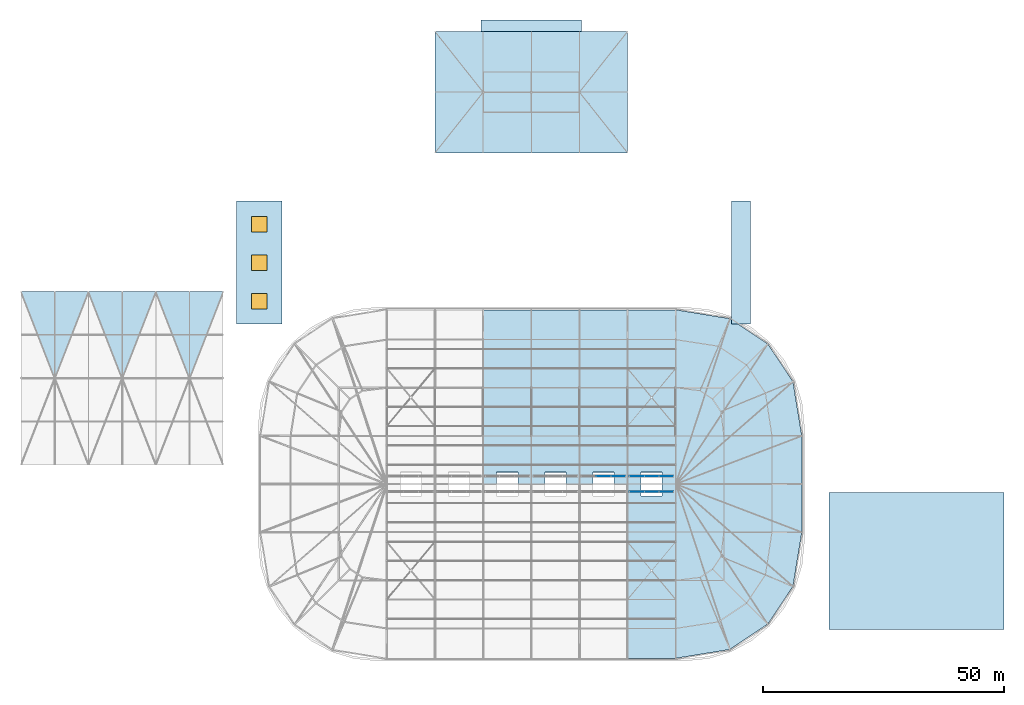
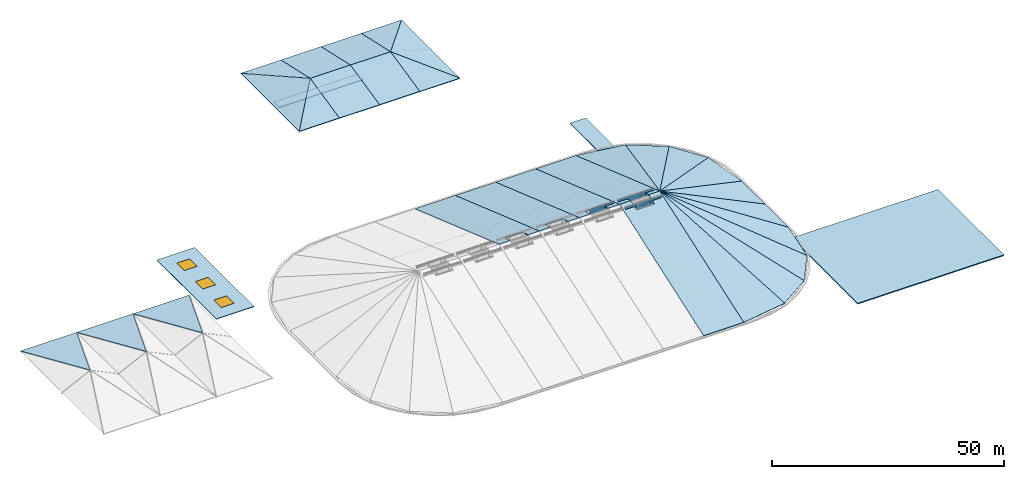
# One storey, part 82 of 93: 32 slabs, 8 plates, 3 windows, 3 openings, 3 elements without a shape of their own.
"""IFC4 building model written with IfcOpenShell, lengths in metres."""

from ifc_helpers import new_model, si_unit, derived_unit, direction, frame, origin, origin_2d_with_axis, place, context, subcontext, project, spatial, polyline, rectangle, outline, extrude, material, layer, layer_set, type_object, element, fill, aggregate, save


model = new_model("IFC4")

# Units and contexts
model_context = context("Model", 3, precision=1e-05, world=origin(), true_north=direction((0.0, 1.0)))
body_context = subcontext(model_context, "Body", "Model", "MODEL_VIEW")
ifc_project = project(units=[si_unit("LENGTHUNIT", "METRE"), si_unit("AREAUNIT", "SQUARE_METRE"), si_unit("VOLUMEUNIT", "CUBIC_METRE"), si_unit("PLANEANGLEUNIT", "RADIAN"), si_unit("MASSUNIT", "GRAM", prefix="KILO"), derived_unit("THERMALTRANSMITTANCEUNIT", [(si_unit("POWERUNIT", "WATT"), 1), (si_unit("LENGTHUNIT", "METRE"), -2), (si_unit("THERMODYNAMICTEMPERATUREUNIT", "KELVIN"), -1)])], contexts=[model_context])

# Site, building, storey
site_placement = place(None, origin())
site = spatial("IfcSite", under=ifc_project, at=site_placement, CompositionType="ELEMENT")
building_placement = place(site_placement, origin())
building = spatial("IfcBuilding", under=site, at=building_placement, Name="Cinnabar Yard Market Hall", CompositionType="ELEMENT")
storey_placement = place(building_placement, frame((0.0, 0.0, 23.800048828125)))
storey = spatial("IfcBuildingStorey", under=building, at=storey_placement, Name="ROOF", CompositionType="ELEMENT", Elevation=23.800048828125)

# Curtain wall, plate
ifc_material_1 = material(Name="Anodised aluminium ridge clerestory", Category="aluminium")
curtain_wall_type = type_object("IfcCurtainWallType", Name="CW-CWR092x13", PredefinedType="NOTDEFINED", material=ifc_material_1)
curtain_wall_1_placement = place(storey_placement, origin())
curtain_wall_1 = element("IfcCurtainWall", 1, at=curtain_wall_1_placement, inside=storey, type_object=curtain_wall_type, Name="North Ridge Clerestory 5", PredefinedType="NOTDEFINED")
ifc_material_2 = material(Name="Low-E laminated glass", Category="glass")
ifc_layer_1 = layer(ifc_material_2, 0.028076171875)
ifc_layer_set_1 = layer_set([ifc_layer_1], Name="Low-E laminated glass")
plate_type_1 = type_object("IfcPlateType", Name="CWP-GP296x115", PredefinedType="CURTAIN_PANEL", material=ifc_layer_set_1)
plate_1_placement = place(storey_placement, frame((134.049072265625, 45.60009765625, 2.22021484375), z_axis=(0.0, 0.0, 1.0), x_axis=(-1.0, 0.0, 0.0)))
plate_1 = element("IfcPlate", 2, at=plate_1_placement, type_object=plate_type_1, Name="CWR092x13 panel 1.1", PredefinedType="CURTAIN_PANEL", context=body_context, shape_type="SweptSolid", body=[
    extrude(rectangle(XDim=2.961669921875, YDim=0.028076171875, at=origin_2d_with_axis()), origin(), (0.0, 0.0, 1.0), 1.159912109375),
])

# Curtain wall, plates
curtain_wall_2_placement = place(storey_placement, origin())
curtain_wall_2 = element("IfcCurtainWall", 3, at=curtain_wall_2_placement, inside=storey, type_object=curtain_wall_type, Name="South Ridge Clerestory 6", PredefinedType="NOTDEFINED")
plate_2_placement = place(storey_placement, frame((137.950927734375, 42.39990234375, 2.22021484375), z_axis=(0.0, 0.0, 1.0), x_axis=(1.0, 0.0, 0.0)))
plate_2 = element("IfcPlate", 4, at=plate_2_placement, type_object=plate_type_1, Name="CWR092x13 panel 1.1", PredefinedType="CURTAIN_PANEL", context=body_context, shape_type="SweptSolid", body=[
    extrude(rectangle(XDim=2.961669921875, YDim=0.028076171875, at=origin_2d_with_axis()), origin(), (0.0, 0.0, 1.0), 1.159912109375),
])
plate_3_placement = place(storey_placement, frame((144.049072265625, 42.39990234375, 2.22021484375), z_axis=(0.0, 0.0, 1.0), x_axis=(1.0, 0.0, 0.0)))
plate_3 = element("IfcPlate", 5, at=plate_3_placement, type_object=plate_type_1, Name="CWR092x13 panel 3.1", PredefinedType="CURTAIN_PANEL", context=body_context, shape_type="SweptSolid", body=[
    extrude(rectangle(XDim=2.961669921875, YDim=0.028076171875, at=origin_2d_with_axis()), origin(), (0.0, 0.0, 1.0), 1.159912109375),
])

curtain_wall_3_placement = place(storey_placement, origin())
curtain_wall_3 = element("IfcCurtainWall", 6, at=curtain_wall_3_placement, inside=storey, type_object=curtain_wall_type, Name="North Ridge Clerestory 6", PredefinedType="NOTDEFINED")
plate_4_placement = place(storey_placement, frame((144.049072265625, 45.60009765625, 2.22021484375), z_axis=(0.0, 0.0, 1.0), x_axis=(-1.0, 0.0, 0.0)))
plate_4 = element("IfcPlate", 7, at=plate_4_placement, type_object=plate_type_1, Name="CWR092x13 panel 1.1", PredefinedType="CURTAIN_PANEL", context=body_context, shape_type="SweptSolid", body=[
    extrude(rectangle(XDim=2.961669921875, YDim=0.028076171875, at=origin_2d_with_axis()), origin(), (0.0, 0.0, 1.0), 1.159912109375),
])
plate_5_placement = place(storey_placement, frame((137.950927734375, 45.60009765625, 2.22021484375), z_axis=(0.0, 0.0, 1.0), x_axis=(-1.0, 0.0, 0.0)))
plate_5 = element("IfcPlate", 8, at=plate_5_placement, type_object=plate_type_1, Name="CWR092x13 panel 3.1", PredefinedType="CURTAIN_PANEL", context=body_context, shape_type="SweptSolid", body=[
    extrude(rectangle(XDim=2.961669921875, YDim=0.028076171875, at=origin_2d_with_axis()), origin(), (0.0, 0.0, 1.0), 1.159912109375),
])

# Plate
ifc_layer_2 = layer(ifc_material_2, 0.028076171875)
ifc_layer_set_2 = layer_set([ifc_layer_2], Name="Low-E laminated glass")
plate_type_2 = type_object("IfcPlateType", Name="CWP-GP300x115", PredefinedType="CURTAIN_PANEL", material=ifc_layer_set_2)
plate_6_placement = place(storey_placement, frame((131.0, 45.60009765625, 2.22021484375), z_axis=(0.0, 0.0, 1.0), x_axis=(-1.0, 0.0, 0.0)))
plate_6 = element("IfcPlate", 9, at=plate_6_placement, type_object=plate_type_2, Name="CWR092x13 panel 2.1", PredefinedType="CURTAIN_PANEL", context=body_context, shape_type="SweptSolid", body=[
    extrude(rectangle(XDim=2.99658203125, YDim=0.028076171875, at=origin_2d_with_axis()), origin(), (0.0, 0.0, 1.0), 1.159912109375),
])

aggregate(curtain_wall_1, [plate_1, plate_6])

plate_7_placement = place(storey_placement, frame((141.0, 42.39990234375, 2.22021484375), z_axis=(0.0, 0.0, 1.0), x_axis=(1.0, 0.0, 0.0)))
plate_7 = element("IfcPlate", 10, at=plate_7_placement, type_object=plate_type_2, Name="CWR092x13 panel 2.1", PredefinedType="CURTAIN_PANEL", context=body_context, shape_type="SweptSolid", body=[
    extrude(rectangle(XDim=2.99658203125, YDim=0.028076171875, at=origin_2d_with_axis()), origin(), (0.0, 0.0, 1.0), 1.159912109375),
])

aggregate(curtain_wall_2, [plate_2, plate_7, plate_3])

plate_8_placement = place(storey_placement, frame((141.0, 45.60009765625, 2.22021484375), z_axis=(0.0, 0.0, 1.0), x_axis=(-1.0, 0.0, 0.0)))
plate_8 = element("IfcPlate", 11, at=plate_8_placement, type_object=plate_type_2, Name="CWR092x13 panel 2.1", PredefinedType="CURTAIN_PANEL", context=body_context, shape_type="SweptSolid", body=[
    extrude(rectangle(XDim=2.99658203125, YDim=0.028076171875, at=origin_2d_with_axis()), origin(), (0.0, 0.0, 1.0), 1.159912109375),
])

aggregate(curtain_wall_3, [plate_4, plate_8, plate_5])

# Slab, openings, windows
ifc_material_3 = material(Name="Concrete 40 MPa", Category="concrete")
ifc_layer_3 = layer(ifc_material_3, 0.14990234375)
ifc_layer_set_3 = layer_set([ifc_layer_3], Name="Concrete 40 MPa")
slab_type_1 = type_object("IfcSlabType", Name="RF-CAN", PredefinedType="ROOF", material=ifc_layer_set_3)
slab_1_placement = place(storey_placement, frame((0.0, 0.0, -18.550048828125)))
slab_1 = element("IfcSlab", 12, at=slab_1_placement, inside=storey, type_object=slab_type_1, Name="West Riwaq Passage Canopy Roof", PredefinedType="ROOF", context=body_context, shape_type="SweptSolid", body=[
    extrude(outline(polyline([(54.800048828125, 77.199951171875), (64.199951171875, 77.199951171875), (64.199951171875, 102.800048828125), (54.800048828125, 102.800048828125), (54.800048828125, 77.199951171875)]), holes=[polyline([(57.89990234375, 80.39990234375), (61.10009765625, 80.39990234375), (61.10009765625, 83.60009765625), (57.89990234375, 83.60009765625), (57.89990234375, 80.39990234375)]), polyline([(57.89990234375, 88.39990234375), (61.10009765625, 88.39990234375), (61.10009765625, 91.60009765625), (57.89990234375, 91.60009765625), (57.89990234375, 88.39990234375)]), polyline([(57.89990234375, 96.39990234375), (61.10009765625, 96.39990234375), (61.10009765625, 99.60009765625), (57.89990234375, 99.60009765625), (57.89990234375, 96.39990234375)])]), origin(), (0.0, 0.0, 1.0), 0.14990234375),
])
opening_1_placement = place(slab_1_placement, frame((59.5, 82.0, 0.0)))
opening_1 = element("IfcOpeningElement", 13, at=opening_1_placement, cuts=slab_1, Name="Opening SKY2", PredefinedType="OPENING", context=body_context, shape_type="SweptSolid", body=[
    extrude(rectangle(XDim=3.199951171875, YDim=3.199951171875, at=origin_2d_with_axis()), frame((0.0, 0.0, -0.010009765625)), (0.0, 0.0, 1.0), 0.169921875),
])
opening_2_placement = place(slab_1_placement, frame((59.5, 90.0, 0.0)))
opening_2 = element("IfcOpeningElement", 14, at=opening_2_placement, cuts=slab_1, Name="Opening SKY2", PredefinedType="OPENING", context=body_context, shape_type="SweptSolid", body=[
    extrude(rectangle(XDim=3.199951171875, YDim=3.199951171875, at=origin_2d_with_axis()), frame((0.0, 0.0, -0.010009765625)), (0.0, 0.0, 1.0), 0.169921875),
])
opening_3_placement = place(slab_1_placement, frame((59.5, 98.0, 0.0)))
opening_3 = element("IfcOpeningElement", 15, at=opening_3_placement, cuts=slab_1, Name="Opening SKY2", PredefinedType="OPENING", context=body_context, shape_type="SweptSolid", body=[
    extrude(rectangle(XDim=3.199951171875, YDim=3.199951171875, at=origin_2d_with_axis()), frame((0.0, 0.0, -0.010009765625)), (0.0, 0.0, 1.0), 0.169921875),
])
ifc_material_4 = material(Name="Laminated solar-control cupola skylight")
window_type = type_object("IfcWindowType", Name="WN-SKY2", PartitioningType="SINGLE_PANEL", PredefinedType="SKYLIGHT", material=ifc_material_4)
window_1_placement = place(opening_1_placement, frame((0.0, 0.0, 0.099853515625)))
window_1 = element("IfcWindow", 16, at=window_1_placement, inside=storey, type_object=window_type, Name="West Riwaq Skylight 1", OverallHeight=3.199951171875, OverallWidth=3.199951171875, PartitioningType="SINGLE_PANEL", PredefinedType="SKYLIGHT", context=body_context, shape_type="SweptSolid", body=[
    extrude(rectangle(XDim=3.199951171875, YDim=3.199951171875, at=origin_2d_with_axis()), origin(), (0.0, 0.0, 1.0), 0.050048828125),
])
fill(opening_1, window_1)
window_2_placement = place(opening_2_placement, frame((0.0, 0.0, 0.099853515625)))
window_2 = element("IfcWindow", 17, at=window_2_placement, inside=storey, type_object=window_type, Name="West Riwaq Skylight 2", OverallHeight=3.199951171875, OverallWidth=3.199951171875, PartitioningType="SINGLE_PANEL", PredefinedType="SKYLIGHT", context=body_context, shape_type="SweptSolid", body=[
    extrude(rectangle(XDim=3.199951171875, YDim=3.199951171875, at=origin_2d_with_axis()), origin(), (0.0, 0.0, 1.0), 0.050048828125),
])
fill(opening_2, window_2)
window_3_placement = place(opening_3_placement, frame((0.0, 0.0, 0.099853515625)))
window_3 = element("IfcWindow", 18, at=window_3_placement, inside=storey, type_object=window_type, Name="West Riwaq Skylight 3", OverallHeight=3.199951171875, OverallWidth=3.199951171875, PartitioningType="SINGLE_PANEL", PredefinedType="SKYLIGHT", context=body_context, shape_type="SweptSolid", body=[
    extrude(rectangle(XDim=3.199951171875, YDim=3.199951171875, at=origin_2d_with_axis()), origin(), (0.0, 0.0, 1.0), 0.050048828125),
])
fill(opening_3, window_3)

# Slabs
slab_2_placement = place(storey_placement, frame((0.0, 0.0, -18.550048828125)))
element("IfcSlab", 19, at=slab_2_placement, inside=storey, type_object=slab_type_1, Name="East Riwaq Passage Canopy Roof", PredefinedType="ROOF", context=body_context, shape_type="SweptSolid", body=[
    extrude(outline(polyline([(157.60009765625, 77.199951171875), (161.5, 77.199951171875), (161.5, 102.800048828125), (157.60009765625, 102.800048828125), (157.60009765625, 77.199951171875)])), origin(), (0.0, 0.0, 1.0), 0.14990234375),
])
slab_3_placement = place(storey_placement, frame((0.0, 0.0, -17.550048828125)))
element("IfcSlab", 20, at=slab_3_placement, inside=storey, type_object=slab_type_1, Name="North Pishtaq Canopy Roof", PredefinedType="ROOF", context=body_context, shape_type="SweptSolid", body=[
    extrude(outline(polyline([(105.60009765625, 138.0), (126.39990234375, 138.0), (126.39990234375, 140.39990234375), (105.60009765625, 140.39990234375), (105.60009765625, 138.0)])), origin(), (0.0, 0.0, 1.0), 0.14990234375),
])
ifc_layer_4 = layer(ifc_material_3, 0.27001953125)
ifc_layer_set_4 = layer_set([ifc_layer_4], Name="Concrete 40 MPa")
slab_type_2 = type_object("IfcSlabType", Name="RF-DOCK", PredefinedType="ROOF", material=ifc_layer_set_4)
slab_4_placement = place(storey_placement, frame((0.0, 0.0, -19.170166015625)))
element("IfcSlab", 21, at=slab_4_placement, inside=storey, type_object=slab_type_2, Name="Loading Dock Acoustic Buffer Roof Slab", PredefinedType="ROOF", context=body_context, shape_type="SweptSolid", body=[
    extrude(outline(polyline([(177.800048828125, 13.800048828125), (214.199951171875, 13.800048828125), (214.199951171875, 42.199951171875), (177.800048828125, 42.199951171875), (177.800048828125, 13.800048828125)])), origin(), (0.0, 0.0, 1.0), 0.27001953125),
])
ifc_layer_5 = layer(ifc_material_3, 0.179931640625)
ifc_layer_set_5 = layer_set([ifc_layer_5], Name="Concrete 40 MPa")
slab_type_3 = type_object("IfcSlabType", Name="RF-HALL", PredefinedType="ROOF", material=ifc_layer_set_5)
for number, where, z_axis, x_axis, name in (
    (22, (106.0, 44.0, 3.449951171875), (0.0, 0.328726259406, 0.944425246579), (1.0, 0.0, 0.0), "Market Hall North Pitched Roof Panel 03"),
    (23, (116.0, 44.0, 3.449951171875), (0.0, 0.328726259406, 0.944425246579), (1.0, 0.0, 0.0), "Market Hall North Pitched Roof Panel 04"),
    (24, (126.0, 44.0, 3.449951171875), (0.0, 0.328726259406, 0.944425246579), (1.0, 0.0, 0.0), "Market Hall North Pitched Roof Panel 05"),
):
    element("IfcSlab", number, at=place(storey_placement, frame(where, z_axis=z_axis, x_axis=x_axis)), inside=storey, type_object=slab_type_3, Name=name, PredefinedType="ROOF", context=body_context, shape_type="SweptSolid", body=[
        extrude(outline(polyline([(0.0, 0.0), (2.800048828125, 0.0), (2.800048828125, 2.6470934847407452), (7.199951171875, 2.6470934847407452), (7.199951171875, 0.0), (10.0, 0.0), (10.0, 38.33013078235692), (0.0, 38.33013078235692), (0.0, 0.0)])), origin(), (0.0, 0.0, -1.0), 0.179931640625),
    ])
slab_5_placement = place(storey_placement, frame((136.0, 7.800048828125, -9.150146484375), z_axis=(0.0, -0.328726259406, 0.944425246579), x_axis=(1.0, 0.0, 0.0)))
element("IfcSlab", 25, at=slab_5_placement, inside=storey, type_object=slab_type_3, Name="Market Hall South Pitched Roof Panel 06", PredefinedType="ROOF", context=body_context, shape_type="SweptSolid", body=[
    extrude(outline(polyline([(0.0, 0.0), (10.0, 0.0), (10.0, 38.33013078235692), (7.199951171875, 38.33013078235692), (7.199951171875, 35.68303729761617), (2.800048828125, 35.68303729761617), (2.800048828125, 38.33013078235692), (0.0, 38.33013078235692), (0.0, 0.0)])), origin(), (0.0, 0.0, -1.0), 0.179931640625),
])
slab_6_placement = place(storey_placement, frame((136.0, 44.0, 3.449951171875), z_axis=(0.0, 0.328726259406, 0.944425246579), x_axis=(1.0, 0.0, 0.0)))
element("IfcSlab", 26, at=slab_6_placement, inside=storey, type_object=slab_type_3, Name="Market Hall North Pitched Roof Panel 06", PredefinedType="ROOF", context=body_context, shape_type="SweptSolid", body=[
    extrude(outline(polyline([(0.0, 0.0), (2.800048828125, 0.0), (2.800048828125, 2.6470934847407452), (7.199951171875, 2.6470934847407452), (7.199951171875, 0.0), (10.0, 0.0), (10.0, 38.33013078235692), (0.0, 38.33013078235692), (0.0, 0.0)])), origin(), (0.0, 0.0, -1.0), 0.179931640625),
])
slab_7_placement = place(storey_placement, frame((146.0, 44.0, 3.449951171875), z_axis=(0.053694464381, -0.328251447261, 0.943063037059), x_axis=(0.0, -0.944425454153, -0.328725663051)))
element("IfcSlab", 27, at=slab_7_placement, inside=storey, type_object=slab_type_3, Name="Market Hall East Apsidal Hip Facet 01", PredefinedType="ROOF", context=body_context, shape_type="SweptSolid", body=[
    extrude(outline(polyline([(0.0, 0.0), (38.330130782364556, -1.1102230246251565e-16), (36.59046035961463, 11.277254763712312), (0.0, 0.0)])), origin(), (0.0, 0.0, -1.0), 0.179931640625),
])
slab_8_placement = place(storey_placement, frame((146.0, 44.0, 3.449951171875), z_axis=(0.189023755784, -0.282897842347, 0.940339742085), x_axis=(0.294105928057, -0.897333924239, -0.32907982541)))
element("IfcSlab", 28, at=slab_8_placement, inside=storey, type_object=slab_type_3, Name="Market Hall East Apsidal Hip Facet 02", PredefinedType="ROOF", context=body_context, shape_type="SweptSolid", body=[
    extrude(outline(polyline([(0.0, 0.0), (38.28887912089099, 8.881784197001252e-16), (35.89064777429705, 9.13273184325013), (0.0, 0.0)])), origin(), (0.0, 0.0, -1.0), 0.179931640625),
])
slab_9_placement = place(storey_placement, frame((146.0, 44.0, 3.449951171875), z_axis=(0.304097188271, -0.203188515591, 0.930719789849), x_axis=(0.516062640809, -0.786082003475, -0.340227033867)))
element("IfcSlab", 29, at=slab_9_placement, inside=storey, type_object=slab_type_3, Name="Market Hall East Apsidal Hip Facet 03", PredefinedType="ROOF", context=body_context, shape_type="SweptSolid", body=[
    extrude(outline(polyline([(0.0, 0.0), (37.03438116911593, 1.9984014443252818e-15), (33.56998002051301, 8.783861861052888), (0.0, 0.0)])), origin(), (0.0, 0.0, -1.0), 0.179931640625),
])
slab_10_placement = place(storey_placement, frame((146.0, 44.0, 3.449951171875), z_axis=(0.411443291591, -0.067302756316, 0.908947059403), x_axis=(0.701954212015, -0.612706049447, -0.363113730401)))
element("IfcSlab", 30, at=slab_10_placement, inside=storey, type_object=slab_type_3, Name="Market Hall East Apsidal Hip Facet 04", PredefinedType="ROOF", context=body_context, shape_type="SweptSolid", body=[
    extrude(outline(polyline([(0.0, 0.0), (34.700141033887775, -8.881784197001252e-16), (29.093495037528562, 9.938231676559575), (0.0, 0.0)])), origin(), (0.0, 0.0, -1.0), 0.179931640625),
])
slab_11_placement = place(storey_placement, frame((146.0, 44.0, 3.449951171875), z_axis=(0.433405274162, 0.0, 0.901199128012), x_axis=(0.852194344827, -0.325265623297, -0.409837861776)))
element("IfcSlab", 31, at=slab_11_placement, inside=storey, type_object=slab_type_3, Name="Market Hall East Apsidal Hip Facet 05", PredefinedType="ROOF", context=body_context, shape_type="SweptSolid", body=[
    extrude(outline(polyline([(0.0, 0.0), (30.744103538006616, -6.661338147750939e-16), (27.491447305035713, 9.456226912998416), (0.0, 0.0)])), origin(), (0.0, 0.0, -1.0), 0.179931640625),
])
slab_12_placement = place(storey_placement, frame((146.0, 44.0, 3.449951171875), z_axis=(0.433405274162, 0.0, 0.901199128012), x_axis=(0.901199128012, 0.0, -0.433405274162)))
element("IfcSlab", 32, at=slab_12_placement, inside=storey, type_object=slab_type_3, Name="Market Hall East Apsidal Hip Facet 06", PredefinedType="ROOF", context=body_context, shape_type="SweptSolid", body=[
    extrude(outline(polyline([(0.0, 0.0), (29.0723219292108, 0.0), (29.0723219292108, 10.0), (0.0, 0.0)])), origin(), (0.0, 0.0, -1.0), 0.179931640625),
])
slab_13_placement = place(storey_placement, frame((146.0, 44.0, 3.449951171875), z_axis=(0.411443291591, 0.067302756316, 0.908947059403), x_axis=(0.852194344827, 0.325265623297, -0.409837861776)))
element("IfcSlab", 33, at=slab_13_placement, inside=storey, type_object=slab_type_3, Name="Market Hall East Apsidal Hip Facet 07", PredefinedType="ROOF", context=body_context, shape_type="SweptSolid", body=[
    extrude(outline(polyline([(0.0, 0.0), (30.744103538006616, 1.887379141862766e-15), (32.8371383385086, 11.217046559114866), (0.0, 0.0)])), origin(), (0.0, 0.0, -1.0), 0.179931640625),
])
slab_14_placement = place(storey_placement, frame((146.0, 44.0, 3.449951171875), z_axis=(0.304097188271, 0.203188515591, 0.930719789849), x_axis=(0.701954212015, 0.612706049447, -0.363113730401)))
element("IfcSlab", 34, at=slab_14_placement, inside=storey, type_object=slab_type_3, Name="Market Hall East Apsidal Hip Facet 08", PredefinedType="ROOF", context=body_context, shape_type="SweptSolid", body=[
    extrude(outline(polyline([(0.0, 0.0), (34.700141033887775, -3.9968028886505635e-15), (35.82819547347509, 9.3747425401356), (0.0, 0.0)])), origin(), (0.0, 0.0, -1.0), 0.179931640625),
])
slab_15_placement = place(storey_placement, frame((146.0, 44.0, 3.449951171875), z_axis=(0.189023755784, 0.282897842347, 0.940339742085), x_axis=(0.516062640809, 0.786082003475, -0.340227033867)))
element("IfcSlab", 35, at=slab_15_placement, inside=storey, type_object=slab_type_3, Name="Market Hall East Apsidal Hip Facet 09", PredefinedType="ROOF", context=body_context, shape_type="SweptSolid", body=[
    extrude(outline(polyline([(0.0, 0.0), (37.03438116911593, -2.6575963651964685e-15), (37.10640304546338, 9.442092848612967), (0.0, 0.0)])), origin(), (0.0, 0.0, -1.0), 0.179931640625),
])
slab_16_placement = place(storey_placement, frame((146.0, 44.0, 3.449951171875), z_axis=(0.053694464381, 0.328251447261, 0.943063037059), x_axis=(0.294105928057, 0.897333924239, -0.32907982541)))
element("IfcSlab", 36, at=slab_16_placement, inside=storey, type_object=slab_type_3, Name="Market Hall East Apsidal Hip Facet 10", PredefinedType="ROOF", context=body_context, shape_type="SweptSolid", body=[
    extrude(outline(polyline([(0.0, 0.0), (38.28887912089098, -1.9984014443252818e-15), (36.62988217917615, 11.289404649176312), (0.0, 0.0)])), origin(), (0.0, 0.0, -1.0), 0.179931640625),
])
ifc_layer_6 = layer(ifc_material_3, 0.18994140625)
ifc_layer_set_6 = layer_set([ifc_layer_6], Name="Concrete 40 MPa")
slab_type_4 = type_object("IfcSlabType", Name="RF-PAV", PredefinedType="ROOF", material=ifc_layer_set_6)
for number, where, z_axis, x_axis, name in (
    (37, (24.0, 84.0, -15.260009765625), (0.0, 0.185607349892, 0.982623993024), (-1.0, 0.0, 0.0), "Food Court Chhatri Roof CH1 N"),
    (38, (38.0, 84.0, -15.260009765625), (0.0, 0.185607349892, 0.982623993024), (-1.0, 0.0, 0.0), "Food Court Chhatri Roof CH2 N"),
    (39, (52.0, 84.0, -15.260009765625), (0.0, 0.185607349892, 0.982623993024), (-1.0, 0.0, 0.0), "Food Court Chhatri Roof CH3 N"),
):
    element("IfcSlab", number, at=place(storey_placement, frame(where, z_axis=z_axis, x_axis=x_axis)), inside=storey, type_object=slab_type_4, Name=name, PredefinedType="ROOF", context=body_context, shape_type="SweptSolid", body=[
        extrude(outline(polyline([(0.0, 0.0), (14.0, 0.0), (7.0, 18.216431178997674), (0.0, 0.0)])), origin(), (0.0, 0.0, -1.0), 0.18994140625),
    ])
ifc_layer_7 = layer(ifc_material_3, 0.2099609375)
ifc_layer_set_7 = layer_set([ifc_layer_7], Name="Concrete 40 MPa")
slab_type_5 = type_object("IfcSlabType", Name="RF-WING", PredefinedType="ROOF", material=ifc_layer_set_7)
slab_17_placement = place(storey_placement, frame((106.0, 112.800048828125, -5.06005859375), z_axis=(0.0, -0.216936466118, 0.976185724987), x_axis=(1.0, 0.0, 0.0)))
element("IfcSlab", 40, at=slab_17_placement, inside=storey, type_object=slab_type_5, Name="Belvedere South Hipped Roof 1", PredefinedType="ROOF", context=body_context, shape_type="SweptSolid", body=[
    extrude(outline(polyline([(0.0, 0.0), (10.0, 0.0), (10.0, 12.907229836610636), (0.0, 12.907229836610636), (0.0, 0.0)])), origin(), (0.0, 0.0, -1.0), 0.2099609375),
])
slab_18_placement = place(storey_placement, frame((106.0, 125.39990234375, -2.260009765625), z_axis=(0.0, 0.216932460549, 0.976186615131), x_axis=(1.0, 0.0, 0.0)))
element("IfcSlab", 41, at=slab_18_placement, inside=storey, type_object=slab_type_5, Name="Belvedere North Hipped Roof 1", PredefinedType="ROOF", context=body_context, shape_type="SweptSolid", body=[
    extrude(outline(polyline([(0.0, 0.0), (10.0, 0.0), (10.0, 12.907468163312313), (0.0, 12.907468163312313), (0.0, 0.0)])), origin(), (0.0, 0.0, -1.0), 0.2099609375),
])
slab_19_placement = place(storey_placement, frame((116.0, 112.800048828125, -5.06005859375), z_axis=(0.0, -0.216936466118, 0.976185724987), x_axis=(1.0, 0.0, 0.0)))
element("IfcSlab", 42, at=slab_19_placement, inside=storey, type_object=slab_type_5, Name="Belvedere South Hipped Roof 2", PredefinedType="ROOF", context=body_context, shape_type="SweptSolid", body=[
    extrude(outline(polyline([(0.0, 0.0), (10.0, 0.0), (10.0, 12.907229836610636), (0.0, 12.907229836610636), (0.0, 0.0)])), origin(), (0.0, 0.0, -1.0), 0.2099609375),
])
slab_20_placement = place(storey_placement, frame((116.0, 125.39990234375, -2.260009765625), z_axis=(0.0, 0.216932460549, 0.976186615131), x_axis=(1.0, 0.0, 0.0)))
element("IfcSlab", 43, at=slab_20_placement, inside=storey, type_object=slab_type_5, Name="Belvedere North Hipped Roof 2", PredefinedType="ROOF", context=body_context, shape_type="SweptSolid", body=[
    extrude(outline(polyline([(0.0, 0.0), (10.0, 0.0), (10.0, 12.907468163312313), (0.0, 12.907468163312313), (0.0, 0.0)])), origin(), (0.0, 0.0, -1.0), 0.2099609375),
])
slab_21_placement = place(storey_placement, frame((96.0, 138.0, -5.06005859375), z_axis=(-0.26963428565, 0.0, 0.962962798867), x_axis=(0.0, -1.0, 0.0)))
element("IfcSlab", 44, at=slab_21_placement, inside=storey, type_object=slab_type_5, Name="Belvedere Hip Roof RF-V3-HW", PredefinedType="ROOF", context=body_context, shape_type="SweptSolid", body=[
    extrude(outline(polyline([(0.0, 0.0), (25.199951171875, 0.0), (12.60009765625, 10.384617154227891), (0.0, 0.0)])), origin(), (0.0, 0.0, -1.0), 0.2099609375),
])
slab_22_placement = place(storey_placement, frame((96.0, 112.800048828125, -5.06005859375), z_axis=(0.0, -0.216936466118, 0.976185724987), x_axis=(1.0, 0.0, 0.0)))
element("IfcSlab", 45, at=slab_22_placement, inside=storey, type_object=slab_type_5, Name="Belvedere Hip Roof RF-V3-HWS", PredefinedType="ROOF", context=body_context, shape_type="SweptSolid", body=[
    extrude(outline(polyline([(0.0, 0.0), (10.0, 0.0), (10.0, 12.907229836610636), (0.0, 0.0)])), origin(), (0.0, 0.0, -1.0), 0.2099609375),
])
slab_23_placement = place(storey_placement, frame((106.0, 138.0, -5.06005859375), z_axis=(0.0, 0.216932460549, 0.976186615131), x_axis=(-1.0, 0.0, 0.0)))
element("IfcSlab", 46, at=slab_23_placement, inside=storey, type_object=slab_type_5, Name="Belvedere Hip Roof RF-V3-HWN", PredefinedType="ROOF", context=body_context, shape_type="SweptSolid", body=[
    extrude(outline(polyline([(0.0, 0.0), (10.0, 0.0), (0.0, 12.907468163312313), (0.0, 0.0)])), origin(), (0.0, 0.0, -1.0), 0.2099609375),
])
slab_24_placement = place(storey_placement, frame((136.0, 112.800048828125, -5.06005859375), z_axis=(0.26963428565, 0.0, 0.962962798867), x_axis=(0.0, 1.0, 0.0)))
element("IfcSlab", 47, at=slab_24_placement, inside=storey, type_object=slab_type_5, Name="Belvedere Hip Roof RF-V3-HE", PredefinedType="ROOF", context=body_context, shape_type="SweptSolid", body=[
    extrude(outline(polyline([(0.0, 0.0), (25.199951171875, 0.0), (12.599853515625, 10.384617154227891), (0.0, 0.0)])), origin(), (0.0, 0.0, -1.0), 0.2099609375),
])
slab_25_placement = place(storey_placement, frame((126.0, 112.800048828125, -5.06005859375), z_axis=(0.0, -0.216936466118, 0.976185724987), x_axis=(1.0, 0.0, 0.0)))
element("IfcSlab", 48, at=slab_25_placement, inside=storey, type_object=slab_type_5, Name="Belvedere Hip Roof RF-V3-HES", PredefinedType="ROOF", context=body_context, shape_type="SweptSolid", body=[
    extrude(outline(polyline([(0.0, 0.0), (10.0, 0.0), (0.0, 12.907229836610636), (0.0, 0.0)])), origin(), (0.0, 0.0, -1.0), 0.2099609375),
])
slab_26_placement = place(storey_placement, frame((136.0, 138.0, -5.06005859375), z_axis=(0.0, 0.216932460549, 0.976186615131), x_axis=(-1.0, 0.0, 0.0)))
element("IfcSlab", 49, at=slab_26_placement, inside=storey, type_object=slab_type_5, Name="Belvedere Hip Roof RF-V3-HEN", PredefinedType="ROOF", context=body_context, shape_type="SweptSolid", body=[
    extrude(outline(polyline([(0.0, 0.0), (10.0, 0.0), (10.0, 12.907468163312313), (0.0, 0.0)])), origin(), (0.0, 0.0, -1.0), 0.2099609375),
])

save(model, "model.ifc")
